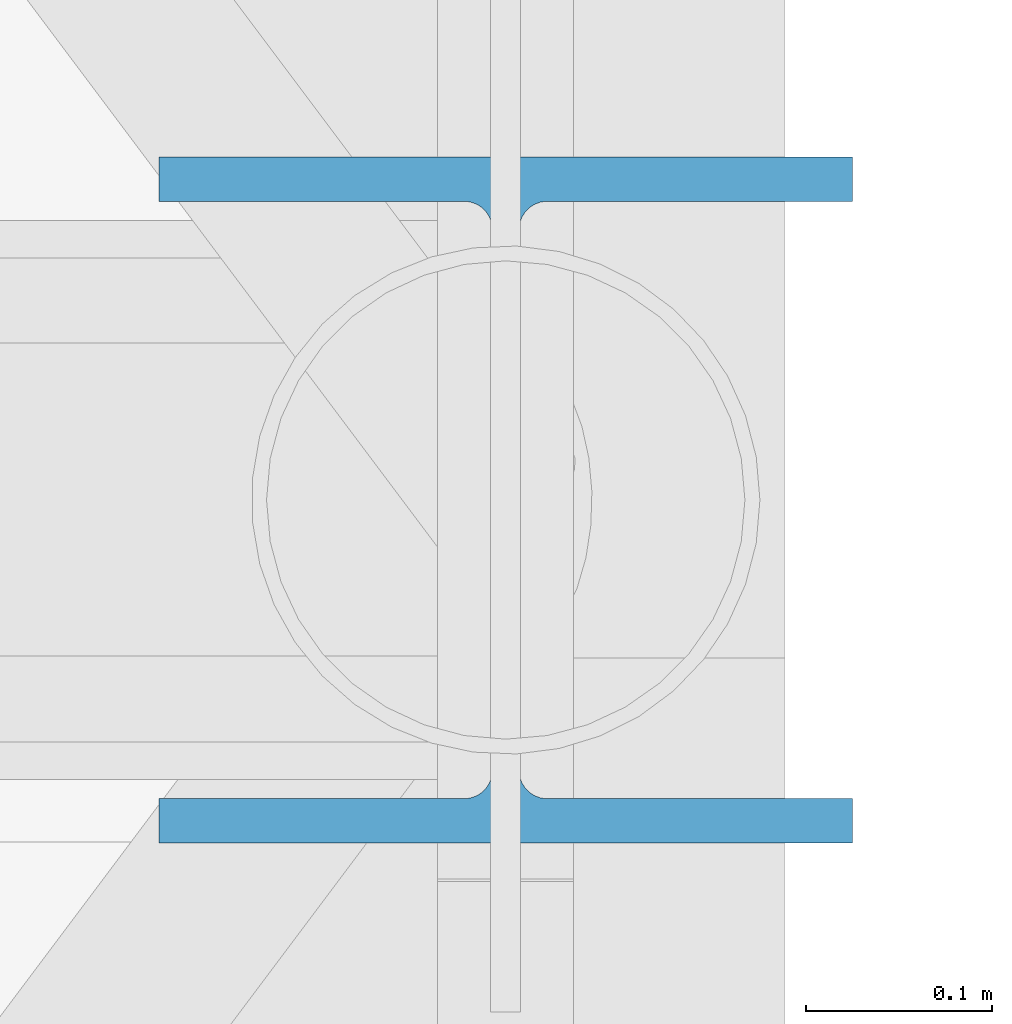
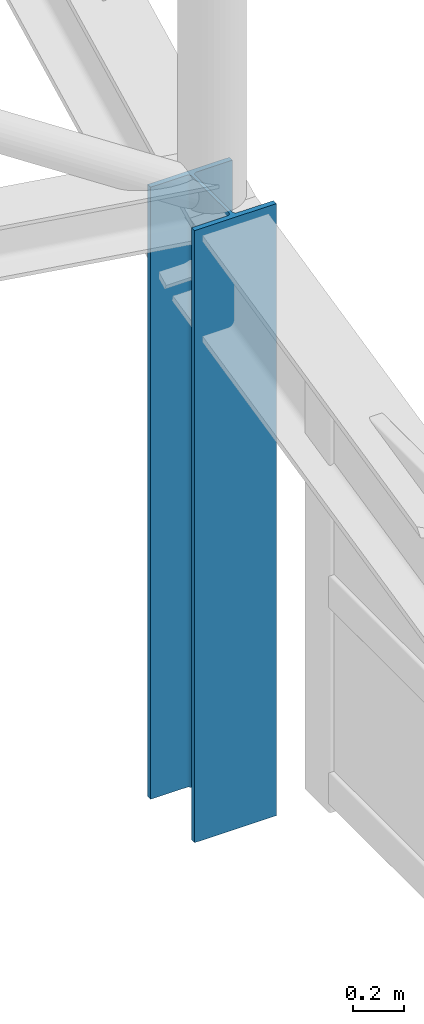
# One storey, part 6 of 262: 1 column.
"""IFC4 building model written with IfcOpenShell, lengths in metres."""

from ifc_helpers import new_model, si_unit, derived_unit, direction, frame, origin, origin_2d, place, context, subcontext, project, spatial, i_section, extrude, material, material_profile, profile_set, type_object, element, save


model = new_model("IFC4")

# Units and contexts
model_context = context("Model", 3, precision=1e-05, world=origin(), true_north=direction((0.0, 1.0)))
body_context = subcontext(model_context, "Body", "Model", "MODEL_VIEW")
ifc_project = project(units=[si_unit("LENGTHUNIT", "METRE"), si_unit("AREAUNIT", "SQUARE_METRE"), si_unit("VOLUMEUNIT", "CUBIC_METRE"), si_unit("PLANEANGLEUNIT", "RADIAN"), si_unit("MASSUNIT", "GRAM", prefix="KILO"), derived_unit("THERMALTRANSMITTANCEUNIT", [(si_unit("POWERUNIT", "WATT"), 1), (si_unit("LENGTHUNIT", "METRE"), -2), (si_unit("THERMODYNAMICTEMPERATUREUNIT", "KELVIN"), -1)])], contexts=[model_context])

# Site, building, storey
site_placement = place(None, origin())
site = spatial("IfcSite", under=ifc_project, at=site_placement, CompositionType="ELEMENT")
building_placement = place(site_placement, origin())
building = spatial("IfcBuilding", under=site, at=building_placement, Name="Almenara Railside Exhibition Hall", CompositionType="ELEMENT")
storey_placement = place(building_placement, frame((0.0, 0.0, 21.699951171875)))
storey = spatial("IfcBuildingStorey", under=building, at=storey_placement, Name="RF", CompositionType="ELEMENT", Elevation=21.699951171875)

# Column
ifc_material = material(Name="Structural steel S355JR", Category="steel")
ifc_material_profile = material_profile(ifc_material, i_section(OverallWidth=0.37255859375, OverallDepth=0.3681640625, WebThickness=0.014404296875, FlangeThickness=0.023681640625, FilletRadius=0.01513671875, at=origin_2d()), Name="UC 356x368x177")
ifc_profile_set = profile_set([ifc_material_profile], Name="Structural steel S355JR")
column_type = type_object("IfcColumnType", Name="Steel Column UC 356x368x177 S355JR", PredefinedType="COLUMN", material=ifc_profile_set)
column_placement = place(storey_placement, frame((66.0, 120.0, -2.39990234375), z_axis=(0.0, 0.0, 1.0), x_axis=(1.0, 0.0, 0.0)))
element("IfcColumn", 1, at=column_placement, inside=storey, type_object=column_type, Name="V1 scroll portal column 7", PredefinedType="COLUMN", context=body_context, shape_type="SweptSolid", body=[
    extrude(i_section(OverallWidth=0.37255859375, OverallDepth=0.3681640625, WebThickness=0.014404296875, FlangeThickness=0.023681640625, FilletRadius=0.01513671875, at=origin_2d()), origin(), (0.0, 0.0, 1.0), 2.941162109375),
])

save(model, "model.ifc")
